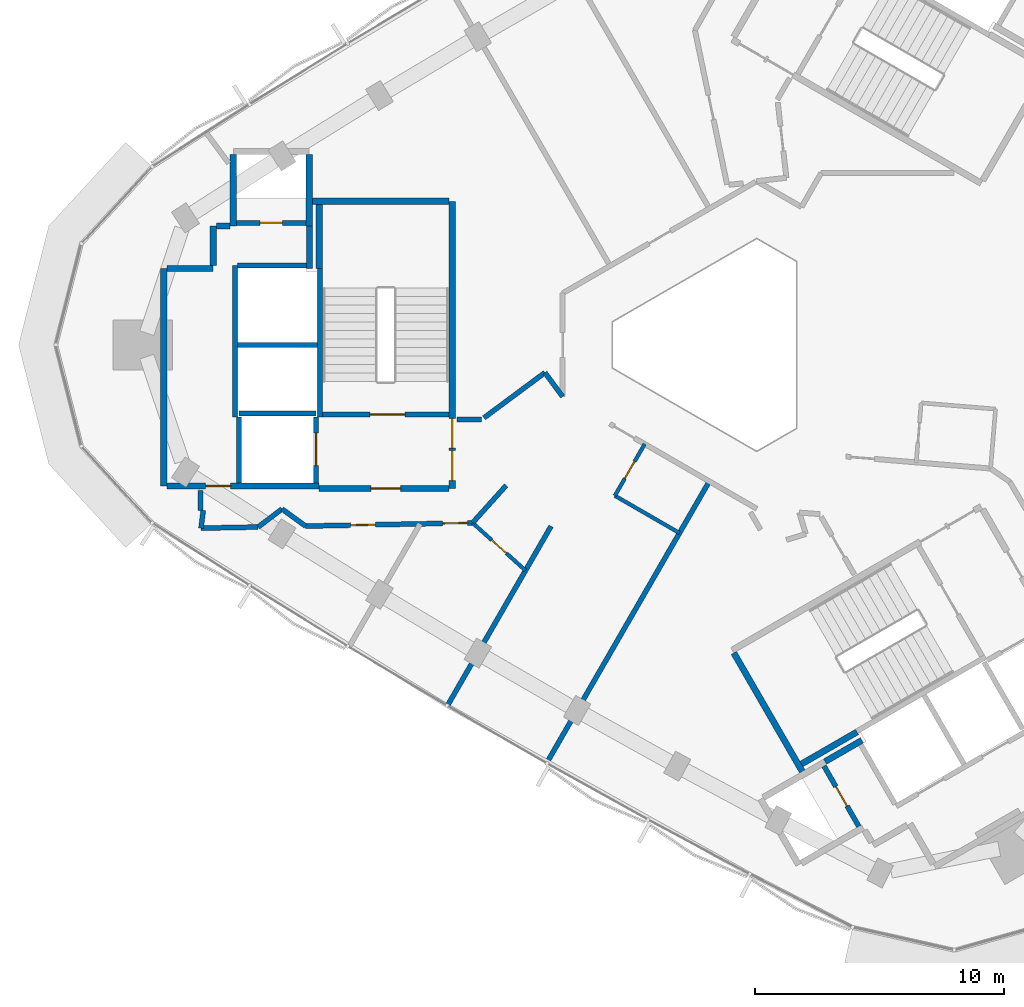
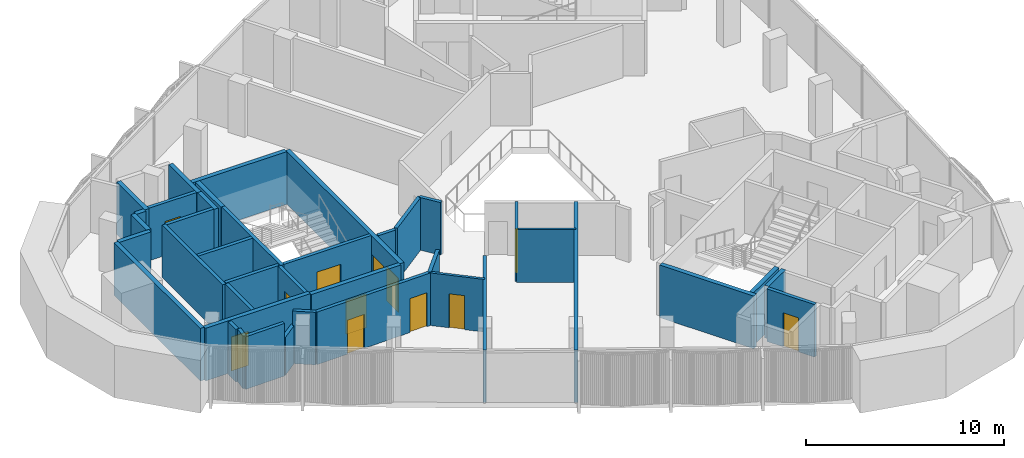
# One storey, part 6 of 12: 40 walls, 12 doors, 12 openings.
"""IFC4 building model written with IfcOpenShell, lengths in metres."""

from ifc_helpers import new_model, si_unit, direction, frame, frame_2d, origin, place, context, subcontext, project, spatial, rectangle, extrude, material, layer, layer_set, type_object, element, fill, save


model = new_model("IFC4")

# Units and contexts
model_context = context("Model", 3, precision=1e-05, world=origin(), true_north=direction((0.0, 1.0)))
body_context = subcontext(model_context, "Body", "Model", "MODEL_VIEW")
ifc_project = project(units=[si_unit("LENGTHUNIT", "METRE"), si_unit("AREAUNIT", "SQUARE_METRE"), si_unit("VOLUMEUNIT", "CUBIC_METRE"), si_unit("PLANEANGLEUNIT", "RADIAN"), si_unit("MASSUNIT", "GRAM", prefix="KILO")], contexts=[model_context])

# Site, building, storey
site_placement = place(None, origin())
site = spatial("IfcSite", under=ifc_project, at=site_placement, CompositionType="ELEMENT")
building_placement = place(site_placement, origin())
building = spatial("IfcBuilding", under=site, at=building_placement, Name="Tamra Quay Hotel Tower", CompositionType="ELEMENT")
storey_placement = place(building_placement, frame((0.0, 0.0, 280.199951171875)))
storey = spatial("IfcBuildingStorey", under=building, at=storey_placement, Name="L71", CompositionType="ELEMENT", Elevation=280.199951171875)

# Walls
ifc_material_1 = material(Name="Concrete M70", Category="concrete")
ifc_layer_1 = layer(ifc_material_1, 0.199951171875)
ifc_layer_set_1 = layer_set([ifc_layer_1], Name="Concrete M70 core wall 200")
wall_type_1 = type_object("IfcWallType", Name="Concrete M70 core wall 200", PredefinedType="SHEAR", material=ifc_layer_set_1)
wall_1_placement = place(storey_placement, frame((-16.162109375, 3.073974609375, 0.0), z_axis=(0.0, 0.0, 1.0), x_axis=(0.0, -1.0, 0.0)))
element("IfcWall", 1, at=wall_1_placement, inside=storey, type_object=wall_type_1, Name="CW2", PredefinedType="SHEAR", context=body_context, shape_type="SweptSolid", body=[
    extrude(rectangle(XDim=5.97412109375, YDim=0.199951171875, at=frame_2d((2.987060546875, 0.0))), origin(), (0.0, 0.0, 1.0), 3.25),
])
wall_2_placement = place(storey_placement, frame((-19.5625, -2.900146484375, 0.0), z_axis=(0.0, 0.0, 1.0), x_axis=(0.0, 1.0, 0.0)))
element("IfcWall", 2, at=wall_2_placement, inside=storey, type_object=wall_type_1, Name="CW2", PredefinedType="SHEAR", context=body_context, shape_type="SweptSolid", body=[
    extrude(rectangle(XDim=6.100341796875, YDim=0.199951171875, at=frame_2d((3.05029296875, 0.0))), origin(), (0.0, 0.0, 1.0), 3.25),
])

# Wall, opening, door
wall_3_placement = place(storey_placement, frame((-10.96337890625, -2.800048828125, 0.0), z_axis=(0.0, 0.0, 1.0), x_axis=(-1.0, 0.0, 0.0)))
wall_3 = element("IfcWall", 3, at=wall_3_placement, inside=storey, type_object=wall_type_1, Name="CW2", PredefinedType="SHEAR", context=body_context, shape_type="SweptSolid", body=[
    extrude(rectangle(XDim=5.097900390625, YDim=0.199951171875, at=frame_2d((2.548828125, 0.0))), origin(), (0.0, 0.0, 1.0), 3.25),
])
opening_1_placement = place(wall_3_placement, frame((1.77392578125, 0.0, 0.0)))
opening_1 = element("IfcOpeningElement", 4, at=opening_1_placement, cuts=wall_3, Name="Opening FD2", PredefinedType="OPENING", context=body_context, shape_type="SweptSolid", body=[
    extrude(rectangle(XDim=1.39990234375, YDim=2.10009765625, at=frame_2d((0.699951171875, 1.050048828125))), frame((0.0, 0.10986328125, 0.0), z_axis=(0.0, -1.0, 0.0), x_axis=(1.0, 0.0, 0.0)), (0.0, 0.0, 1.0), 0.219970703125),
])
ifc_material_2 = material(Name="Core door FD2 1400x2100 LH")
door_type_1 = type_object("IfcDoorType", Name="Core door FD2 1400x2100 LH", OperationType="NOTDEFINED", PredefinedType="DOOR", material=ifc_material_2)
door_1_placement = place(opening_1_placement, origin())
door_1 = element("IfcDoor", 5, at=door_1_placement, inside=storey, type_object=door_type_1, Name="FD2", OperationType="SINGLE_SWING_LEFT", OverallHeight=2.10009765625, OverallWidth=1.39990234375, PredefinedType="DOOR", context=body_context, shape_type="SweptSolid", body=[
    extrude(rectangle(XDim=1.39990234375, YDim=2.10009765625, at=frame_2d((0.699951171875, 1.050048828125))), frame((0.0, 0.02490234375, 0.0), z_axis=(0.0, -1.0, 0.0), x_axis=(1.0, 0.0, 0.0)), (0.0, 0.0, 1.0), 0.050048828125),
])
fill(opening_1, door_1)

# Wall
wall_4_placement = place(storey_placement, frame((-16.26318359375, 0.0, 0.0), z_axis=(0.0, 0.0, 1.0), x_axis=(-1.0, 0.0, 0.0)))
element("IfcWall", 6, at=wall_4_placement, inside=storey, type_object=wall_type_1, Name="CW2", PredefinedType="SHEAR", context=body_context, shape_type="SweptSolid", body=[
    extrude(rectangle(XDim=3.1982421875, YDim=0.199951171875, at=frame_2d((1.59912109375, 0.0))), origin(), (0.0, 0.0, 1.0), 3.25),
])

# Wall, opening, door
wall_5_placement = place(storey_placement, frame((-19.51123046875, 4.91015625, 0.0), z_axis=(0.0, 0.0, 1.0), x_axis=(1.0, 0.0, 0.0)))
wall_5 = element("IfcWall", 7, at=wall_5_placement, inside=storey, type_object=wall_type_1, Name="CW2", PredefinedType="SHEAR", context=body_context, shape_type="SweptSolid", body=[
    extrude(rectangle(XDim=2.7978515625, YDim=0.199951171875, at=frame_2d((1.39892578125, 0.0))), origin(), (0.0, 0.0, 1.0), 3.25),
])
opening_2_placement = place(wall_5_placement, frame((0.948974609375, 0.0, 0.0)))
opening_2 = element("IfcOpeningElement", 8, at=opening_2_placement, cuts=wall_5, Name="Opening D1", PredefinedType="OPENING", context=body_context, shape_type="SweptSolid", body=[
    extrude(rectangle(XDim=0.89990234375, YDim=2.10009765625, at=frame_2d((0.449951171875, 1.050048828125))), frame((0.0, 0.10986328125, 0.0), z_axis=(0.0, -1.0, 0.0), x_axis=(1.0, 0.0, 0.0)), (0.0, 0.0, 1.0), 0.219970703125),
])
ifc_material_3 = material(Name="Core door D1 900x2100 RH")
door_type_2 = type_object("IfcDoorType", Name="Core door D1 900x2100 RH", OperationType="NOTDEFINED", PredefinedType="DOOR", material=ifc_material_3)
door_2_placement = place(opening_2_placement, origin())
door_2 = element("IfcDoor", 9, at=door_2_placement, inside=storey, type_object=door_type_2, Name="D1", OperationType="SINGLE_SWING_RIGHT", OverallHeight=2.10009765625, OverallWidth=0.89990234375, PredefinedType="DOOR", context=body_context, shape_type="SweptSolid", body=[
    extrude(rectangle(XDim=0.89990234375, YDim=2.10009765625, at=frame_2d((0.449951171875, 1.050048828125))), frame((0.0, 0.02490234375, 0.0), z_axis=(0.0, -1.0, 0.0), x_axis=(1.0, 0.0, 0.0)), (0.0, 0.0, 1.0), 0.050048828125),
])
fill(opening_2, door_2)

# Walls
wall_6_placement = place(storey_placement, frame((-19.46240234375, 3.2001953125, 0.0), z_axis=(0.0, 0.0, 1.0), x_axis=(1.0, 0.0, 0.0)))
element("IfcWall", 10, at=wall_6_placement, inside=storey, type_object=wall_type_1, Name="CW2", PredefinedType="SHEAR", context=body_context, shape_type="SweptSolid", body=[
    extrude(rectangle(XDim=2.759033203125, YDim=0.199951171875, at=frame_2d((1.37939453125, 0.0))), origin(), (0.0, 0.0, 1.0), 3.25),
])
wall_7_placement = place(storey_placement, frame((-19.412353515625, -2.75, 0.0), z_axis=(0.0, 0.0, 1.0), x_axis=(1.0, 0.0, 0.0)))
element("IfcWall", 11, at=wall_7_placement, inside=storey, type_object=wall_type_1, Name="CW2", PredefinedType="SHEAR", context=body_context, shape_type="SweptSolid", body=[
    extrude(rectangle(XDim=3.10009765625, YDim=0.199951171875, at=frame_2d((1.550048828125, 0.0))), origin(), (0.0, 0.0, 1.0), 3.25),
])

# Wall, opening, door
wall_8_placement = place(storey_placement, frame((-16.312255859375, -2.898193359375, 0.0), z_axis=(0.0, 0.0, 1.0), x_axis=(0.0, -1.0, 0.0)))
wall_8 = element("IfcWall", 12, at=wall_8_placement, inside=storey, type_object=wall_type_1, Name="CW2", PredefinedType="SHEAR", context=body_context, shape_type="SweptSolid", body=[
    extrude(rectangle(XDim=2.65087890625, YDim=0.199951171875, at=frame_2d((1.325439453125, 0.0))), origin(), (0.0, 0.0, 1.0), 3.25),
])
opening_3_placement = place(wall_8_placement, frame((0.65185546875, 0.0, 0.0)))
opening_3 = element("IfcOpeningElement", 13, at=opening_3_placement, cuts=wall_8, Name="Opening LD", PredefinedType="OPENING", context=body_context, shape_type="SweptSolid", body=[
    extrude(rectangle(XDim=1.300048828125, YDim=2.10009765625, at=frame_2d((0.64990234375, 1.050048828125))), frame((0.0, 0.10986328125, 0.0), z_axis=(0.0, -1.0, 0.0), x_axis=(1.0, 0.0, 0.0)), (0.0, 0.0, 1.0), 0.219970703125),
])
ifc_material_4 = material(Name="Landing door LD 1300 sliding to left")
door_type_3 = type_object("IfcDoorType", Name="Landing door LD 1300 sliding to left", OperationType="NOTDEFINED", PredefinedType="DOOR", material=ifc_material_4)
door_3_placement = place(opening_3_placement, origin())
door_3 = element("IfcDoor", 14, at=door_3_placement, inside=storey, type_object=door_type_3, Name="LD", OperationType="SLIDING_TO_LEFT", OverallHeight=2.10009765625, OverallWidth=1.300048828125, PredefinedType="DOOR", context=body_context, shape_type="SweptSolid", body=[
    extrude(rectangle(XDim=1.300048828125, YDim=2.10009765625, at=frame_2d((0.64990234375, 1.050048828125))), frame((0.0, 0.02490234375, 0.0), z_axis=(0.0, -1.0, 0.0), x_axis=(1.0, 0.0, 0.0)), (0.0, 0.0, 1.0), 0.050048828125),
])
fill(opening_3, door_3)

# Wall
wall_9_placement = place(storey_placement, frame((-19.412353515625, -5.549072265625, 0.0), z_axis=(0.0, 0.0, 1.0), x_axis=(0.0, 1.0, 0.0)))
element("IfcWall", 15, at=wall_9_placement, inside=storey, type_object=wall_type_1, Name="CW2", PredefinedType="SHEAR", context=body_context, shape_type="SweptSolid", body=[
    extrude(rectangle(XDim=2.65087890625, YDim=0.199951171875, at=frame_2d((1.325439453125, 0.0))), origin(), (0.0, 0.0, 1.0), 3.25),
])

# Wall, opening, door
wall_10_placement = place(storey_placement, frame((5.50341796875, -19.352294921875, 0.0), z_axis=(0.0, 0.0, 1.0), x_axis=(-0.499986818241, 0.866033014143, 0.0)))
wall_10 = element("IfcWall", 16, at=wall_10_placement, inside=storey, type_object=wall_type_1, Name="CW2", PredefinedType="SHEAR", context=body_context, shape_type="SweptSolid", body=[
    extrude(rectangle(XDim=2.7978515625, YDim=0.199951171875, at=frame_2d((1.39892578125, 0.0))), origin(), (0.0, 0.0, 1.0), 3.25),
])
opening_4_placement = place(wall_10_placement, frame((0.948974609375, 0.0, 0.0)))
opening_4 = element("IfcOpeningElement", 17, at=opening_4_placement, cuts=wall_10, Name="Opening D1", PredefinedType="OPENING", context=body_context, shape_type="SweptSolid", body=[
    extrude(rectangle(XDim=0.89990234375, YDim=2.10009765625, at=frame_2d((0.449951171875, 1.050048828125))), frame((0.0, 0.10986328125, 0.0), z_axis=(0.0, -1.0, 0.0), x_axis=(1.0, 0.0, 0.0)), (0.0, 0.0, 1.0), 0.219970703125),
])
ifc_material_5 = material(Name="Core door D1 900x2100 LH")
door_type_4 = type_object("IfcDoorType", Name="Core door D1 900x2100 LH", OperationType="NOTDEFINED", PredefinedType="DOOR", material=ifc_material_5)
door_4_placement = place(opening_4_placement, origin())
door_4 = element("IfcDoor", 18, at=door_4_placement, inside=storey, type_object=door_type_4, Name="D1", OperationType="SINGLE_SWING_LEFT", OverallHeight=2.10009765625, OverallWidth=0.89990234375, PredefinedType="DOOR", context=body_context, shape_type="SweptSolid", body=[
    extrude(rectangle(XDim=0.89990234375, YDim=2.10009765625, at=frame_2d((0.449951171875, 1.050048828125))), frame((0.0, 0.02490234375, 0.0), z_axis=(0.0, -1.0, 0.0), x_axis=(1.0, 0.0, 0.0)), (0.0, 0.0, 1.0), 0.050048828125),
])
fill(opening_4, door_4)

# Wall, openings, doors
ifc_layer_2 = layer(ifc_material_1, 0.25)
ifc_layer_set_2 = layer_set([ifc_layer_2], Name="Concrete M70 core wall 250")
wall_type_2 = type_object("IfcWallType", Name="Concrete M70 core wall 250", PredefinedType="SHEAR", material=ifc_layer_set_2)
wall_11_placement = place(storey_placement, frame((-10.83740234375, 5.77490234375, 0.0), z_axis=(0.0, 0.0, 1.0), x_axis=(0.0, -1.0, 0.0)))
wall_11 = element("IfcWall", 19, at=wall_11_placement, inside=storey, type_object=wall_type_2, Name="CW1", PredefinedType="SHEAR", context=body_context, shape_type="SweptSolid", body=[
    extrude(rectangle(XDim=11.5498046875, YDim=0.25, at=frame_2d((5.77490234375, 0.0))), origin(), (0.0, 0.0, 1.0), 3.25),
])
opening_5_placement = place(wall_11_placement, frame((10.02490234375, 0.0, 0.0)))
opening_5 = element("IfcOpeningElement", 20, at=opening_5_placement, cuts=wall_11, Name="Opening FD1", PredefinedType="OPENING", context=body_context, shape_type="SweptSolid", body=[
    extrude(rectangle(XDim=1.199951171875, YDim=2.10009765625, at=frame_2d((0.60009765625, 1.050048828125))), frame((0.0, 0.135009765625, 0.0), z_axis=(0.0, -1.0, 0.0), x_axis=(1.0, 0.0, 0.0)), (0.0, 0.0, 1.0), 0.27001953125),
])
opening_6_placement = place(wall_11_placement, frame((8.72509765625, 0.0, 0.0)))
opening_6 = element("IfcOpeningElement", 21, at=opening_6_placement, cuts=wall_11, Name="Opening FD1", PredefinedType="OPENING", context=body_context, shape_type="SweptSolid", body=[
    extrude(rectangle(XDim=1.199951171875, YDim=2.10009765625, at=frame_2d((0.60009765625, 1.050048828125))), frame((0.0, 0.135009765625, 0.0), z_axis=(0.0, -1.0, 0.0), x_axis=(1.0, 0.0, 0.0)), (0.0, 0.0, 1.0), 0.27001953125),
])
ifc_material_6 = material(Name="Core door FD1 1200x2100 LH")
door_type_5 = type_object("IfcDoorType", Name="Core door FD1 1200x2100 LH", OperationType="NOTDEFINED", PredefinedType="DOOR", material=ifc_material_6)
door_5_placement = place(opening_5_placement, origin())
door_5 = element("IfcDoor", 22, at=door_5_placement, inside=storey, type_object=door_type_5, Name="FD1", OperationType="SINGLE_SWING_LEFT", OverallHeight=2.10009765625, OverallWidth=1.199951171875, PredefinedType="DOOR", context=body_context, shape_type="SweptSolid", body=[
    extrude(rectangle(XDim=1.199951171875, YDim=2.10009765625, at=frame_2d((0.60009765625, 1.050048828125))), frame((0.0, 0.02490234375, 0.0), z_axis=(0.0, -1.0, 0.0), x_axis=(1.0, 0.0, 0.0)), (0.0, 0.0, 1.0), 0.050048828125),
])
fill(opening_5, door_5)
ifc_material_7 = material(Name="Core door FD1 1200x2100 RH")
door_type_6 = type_object("IfcDoorType", Name="Core door FD1 1200x2100 RH", OperationType="NOTDEFINED", PredefinedType="DOOR", material=ifc_material_7)
door_6_placement = place(opening_6_placement, origin())
door_6 = element("IfcDoor", 23, at=door_6_placement, inside=storey, type_object=door_type_6, Name="FD1", OperationType="SINGLE_SWING_RIGHT", OverallHeight=2.10009765625, OverallWidth=1.199951171875, PredefinedType="DOOR", context=body_context, shape_type="SweptSolid", body=[
    extrude(rectangle(XDim=1.199951171875, YDim=2.10009765625, at=frame_2d((0.60009765625, 1.050048828125))), frame((0.0, 0.02490234375, 0.0), z_axis=(0.0, -1.0, 0.0), x_axis=(1.0, 0.0, 0.0)), (0.0, 0.0, 1.0), 0.050048828125),
])
fill(opening_6, door_6)

# Wall
wall_12_placement = place(storey_placement, frame((-22.437255859375, -5.675048828125, 0.0), z_axis=(0.0, 0.0, 1.0), x_axis=(0.0, 1.0, 0.0)))
element("IfcWall", 24, at=wall_12_placement, inside=storey, type_object=wall_type_2, Name="CW1", PredefinedType="SHEAR", context=body_context, shape_type="SweptSolid", body=[
    extrude(rectangle(XDim=8.75, YDim=0.25, at=frame_2d((4.375, 0.0))), origin(), (0.0, 0.0, 1.0), 3.25),
])

# Wall, opening, door
wall_13_placement = place(storey_placement, frame((-16.187255859375, -5.675048828125, 0.0), z_axis=(0.0, 0.0, 1.0), x_axis=(-1.0, 0.0, 0.0)))
wall_13 = element("IfcWall", 25, at=wall_13_placement, inside=storey, type_object=wall_type_2, Name="CW1", PredefinedType="SHEAR", context=body_context, shape_type="SweptSolid", body=[
    extrude(rectangle(XDim=6.12451171875, YDim=0.25, at=frame_2d((3.062255859375, 0.0))), origin(), (0.0, 0.0, 1.0), 3.25),
])
opening_7_placement = place(wall_13_placement, frame((3.562744140625, 0.0, 0.0)))
opening_7 = element("IfcOpeningElement", 26, at=opening_7_placement, cuts=wall_13, Name="Opening FD3", PredefinedType="OPENING", context=body_context, shape_type="SweptSolid", body=[
    extrude(rectangle(XDim=1.0, YDim=2.10009765625, at=frame_2d((0.5, 1.050048828125))), frame((0.0, 0.135009765625, 0.0), z_axis=(0.0, -1.0, 0.0), x_axis=(1.0, 0.0, 0.0)), (0.0, 0.0, 1.0), 0.27001953125),
])
ifc_material_8 = material(Name="Core door FD3 1000x2100 LH")
door_type_7 = type_object("IfcDoorType", Name="Core door FD3 1000x2100 LH", OperationType="NOTDEFINED", PredefinedType="DOOR", material=ifc_material_8)
door_7_placement = place(opening_7_placement, origin())
door_7 = element("IfcDoor", 27, at=door_7_placement, inside=storey, type_object=door_type_7, Name="FD3", OperationType="SINGLE_SWING_LEFT", OverallHeight=2.10009765625, OverallWidth=1.0, PredefinedType="DOOR", context=body_context, shape_type="SweptSolid", body=[
    extrude(rectangle(XDim=1.0, YDim=2.10009765625, at=frame_2d((0.5, 1.050048828125))), frame((0.0, 0.02490234375, 0.0), z_axis=(0.0, -1.0, 0.0), x_axis=(1.0, 0.0, 0.0)), (0.0, 0.0, 1.0), 0.050048828125),
])
fill(opening_7, door_7)

wall_14_placement = place(storey_placement, frame((-10.962646484375, -5.77490234375, 0.0), z_axis=(0.0, 0.0, 1.0), x_axis=(-1.0, 0.0, 0.0)))
wall_14 = element("IfcWall", 28, at=wall_14_placement, inside=storey, type_object=wall_type_2, Name="CW1", PredefinedType="SHEAR", context=body_context, shape_type="SweptSolid", body=[
    extrude(rectangle(XDim=5.224609375, YDim=0.25, at=frame_2d((2.6123046875, 0.0))), origin(), (0.0, 0.0, 1.0), 3.25),
])
opening_8_placement = place(wall_14_placement, frame((1.94970703125, 0.0, 0.0)))
opening_8 = element("IfcOpeningElement", 29, at=opening_8_placement, cuts=wall_14, Name="Opening D2", PredefinedType="OPENING", context=body_context, shape_type="SweptSolid", body=[
    extrude(rectangle(XDim=1.199951171875, YDim=2.10009765625, at=frame_2d((0.60009765625, 1.050048828125))), frame((0.0, 0.135009765625, 0.0), z_axis=(0.0, -1.0, 0.0), x_axis=(1.0, 0.0, 0.0)), (0.0, 0.0, 1.0), 0.27001953125),
])
ifc_material_9 = material(Name="Core door D2 1200x2100 RH")
door_type_8 = type_object("IfcDoorType", Name="Core door D2 1200x2100 RH", OperationType="NOTDEFINED", PredefinedType="DOOR", material=ifc_material_9)
door_8_placement = place(opening_8_placement, origin())
door_8 = element("IfcDoor", 30, at=door_8_placement, inside=storey, type_object=door_type_8, Name="D2", OperationType="SINGLE_SWING_RIGHT", OverallHeight=2.10009765625, OverallWidth=1.199951171875, PredefinedType="DOOR", context=body_context, shape_type="SweptSolid", body=[
    extrude(rectangle(XDim=1.199951171875, YDim=2.10009765625, at=frame_2d((0.60009765625, 1.050048828125))), frame((0.0, 0.02490234375, 0.0), z_axis=(0.0, -1.0, 0.0), x_axis=(1.0, 0.0, 0.0)), (0.0, 0.0, 1.0), 0.050048828125),
])
fill(opening_8, door_8)

# Walls
wall_15_placement = place(storey_placement, frame((-16.47216796875, 5.77490234375, 0.0), z_axis=(0.0, 0.0, 1.0), x_axis=(1.0, 0.0, 0.0)))
element("IfcWall", 31, at=wall_15_placement, inside=storey, type_object=wall_type_2, Name="CW1", PredefinedType="SHEAR", context=body_context, shape_type="SweptSolid", body=[
    extrude(rectangle(XDim=5.509521484375, YDim=0.25, at=frame_2d((2.7548828125, 0.0))), origin(), (0.0, 0.0, 1.0), 3.25),
])
for number, where, z_axis, x_axis, name in (
    (32, (-16.58740234375, 7.649658203125, 0.0), (0.0, 0.0, 1.0), (0.0, -1.0, 0.0), "CW1"),
    (33, (-19.63720703125, 4.784912109375, 0.0), (0.0, 0.0, 1.0), (0.0, 1.0, 0.0), "CW1"),
):
    element("IfcWall", number, at=place(storey_placement, frame(where, z_axis=z_axis, x_axis=x_axis)), inside=storey, type_object=wall_type_2, Name=name, PredefinedType="SHEAR", context=body_context, shape_type="SweptSolid", body=[
        extrude(rectangle(XDim=2.86474609375, YDim=0.25, at=frame_2d((1.432373046875, 0.0))), origin(), (0.0, 0.0, 1.0), 3.25),
    ])
wall_16_placement = place(storey_placement, frame((-16.187255859375, 3.074951171875, 0.0), z_axis=(0.0, 0.0, 1.0), x_axis=(0.0, 1.0, 0.0)))
element("IfcWall", 34, at=wall_16_placement, inside=storey, type_object=wall_type_2, Name="CW1", PredefinedType="SHEAR", context=body_context, shape_type="SweptSolid", body=[
    extrude(rectangle(XDim=2.57470703125, YDim=0.25, at=frame_2d((1.287353515625, 0.0))), origin(), (0.0, 0.0, 1.0), 3.25),
])
wall_17_placement = place(storey_placement, frame((-22.311767578125, 3.074951171875, 0.0), z_axis=(0.0, 0.0, 1.0), x_axis=(1.0, 0.0, 0.0)))
element("IfcWall", 35, at=wall_17_placement, inside=storey, type_object=wall_type_2, Name="CW1", PredefinedType="SHEAR", context=body_context, shape_type="SweptSolid", body=[
    extrude(rectangle(XDim=1.864501953125, YDim=0.25, at=frame_2d((0.93212890625, 0.0))), origin(), (0.0, 0.0, 1.0), 3.25),
])
wall_18_placement = place(storey_placement, frame((-16.577392578125, 4.784912109375, 0.0), z_axis=(0.0, 0.0, 1.0), x_axis=(0.0, -1.0, 0.0)))
element("IfcWall", 36, at=wall_18_placement, inside=storey, type_object=wall_type_2, Name="CW1", PredefinedType="SHEAR", context=body_context, shape_type="SweptSolid", body=[
    extrude(rectangle(XDim=1.7099609375, YDim=0.25, at=frame_2d((0.85498046875, 0.0))), origin(), (0.0, 0.0, 1.0), 3.25),
])
wall_19_placement = place(storey_placement, frame((-20.447265625, 3.200439453125, 0.0), z_axis=(0.0, 0.0, 1.0), x_axis=(0.0, 1.0, 0.0)))
element("IfcWall", 37, at=wall_19_placement, inside=storey, type_object=wall_type_2, Name="CW1", PredefinedType="SHEAR", context=body_context, shape_type="SweptSolid", body=[
    extrude(rectangle(XDim=1.58447265625, YDim=0.25, at=frame_2d((0.792236328125, 0.0))), origin(), (0.0, 0.0, 1.0), 3.25),
])
wall_20_placement = place(storey_placement, frame((-20.32177734375, 4.784912109375, 0.0), z_axis=(0.0, 0.0, 1.0), x_axis=(1.0, 0.0, 0.0)))
element("IfcWall", 38, at=wall_20_placement, inside=storey, type_object=wall_type_2, Name="CW1", PredefinedType="SHEAR", context=body_context, shape_type="SweptSolid", body=[
    extrude(rectangle(XDim=0.55908203125, YDim=0.25, at=frame_2d((0.279541015625, 0.0))), origin(), (0.0, 0.0, 1.0), 3.25),
])
wall_21_placement = place(storey_placement, frame((3.23486328125, -17.15283203125, 0.0), z_axis=(0.0, 0.0, 1.0), x_axis=(-0.500008851346, 0.866020293397, 0.0)))
element("IfcWall", 39, at=wall_21_placement, inside=storey, type_object=wall_type_2, Name="CW1", PredefinedType="SHEAR", context=body_context, shape_type="SweptSolid", body=[
    extrude(rectangle(XDim=5.509765625, YDim=0.25, at=frame_2d((2.7548828125, 0.0))), origin(), (0.0, 0.0, 1.0), 3.25),
])
wall_22_placement = place(storey_placement, frame((5.4306640625, -15.55615234375, 0.0), z_axis=(0.0, 0.0, 1.0), x_axis=(-0.866022940537, -0.500004266446, 0.0)))
element("IfcWall", 40, at=wall_22_placement, inside=storey, type_object=wall_type_2, Name="CW1", PredefinedType="SHEAR", context=body_context, shape_type="SweptSolid", body=[
    extrude(rectangle(XDim=2.57470703125, YDim=0.25, at=frame_2d((1.287353515625, 0.0))), origin(), (0.0, 0.0, 1.0), 3.25),
])
wall_23_placement = place(storey_placement, frame((4.144775390625, -16.748779296875, 0.0), z_axis=(0.0, 0.0, 1.0), x_axis=(0.866038183914, 0.499977863513, 0.0)))
element("IfcWall", 41, at=wall_23_placement, inside=storey, type_object=wall_type_2, Name="CW1", PredefinedType="SHEAR", context=body_context, shape_type="SweptSolid", body=[
    extrude(rectangle(XDim=1.7099609375, YDim=0.25, at=frame_2d((0.85498046875, 0.0))), origin(), (0.0, 0.0, 1.0), 3.25),
])
ifc_material_10 = material(Name="Partition corridor wall")
ifc_layer_3 = layer(ifc_material_10, 0.199951171875)
ifc_layer_set_3 = layer_set([ifc_layer_3], Name="Partition corridor wall")
wall_type_3 = type_object("IfcWallType", Name="Partition corridor wall", PredefinedType="PARTITIONING", material=ifc_layer_set_3)
wall_24_placement = place(storey_placement, frame((-20.949951171875, -6.64990234375, 0.0), z_axis=(0.0, 0.0, 1.0), x_axis=(0.0, 1.0, 0.0)))
element("IfcWall", 42, at=wall_24_placement, inside=storey, type_object=wall_type_3, Name="W-C", PredefinedType="PARTITIONING", context=body_context, shape_type="SweptSolid", body=[
    extrude(rectangle(XDim=0.789794921875, YDim=0.199951171875, at=frame_2d((0.39501953125, 0.0))), origin(), (0.0, 0.0, 1.0), 3.25),
])
wall_25_placement = place(storey_placement, frame((-20.93603515625, -7.363037109375, 0.0), z_axis=(0.0, 0.0, 1.0), x_axis=(0.125330520795, 0.992115044013, 0.0)))
element("IfcWall", 43, at=wall_25_placement, inside=storey, type_object=wall_type_3, Name="W-C", PredefinedType="PARTITIONING", context=body_context, shape_type="SweptSolid", body=[
    extrude(rectangle(XDim=0.71875, YDim=0.199951171875, at=frame_2d((0.359375, 0.0))), origin(), (0.0, 0.0, 1.0), 3.25),
])
wall_26_placement = place(storey_placement, frame((-20.93603515625, -7.364013671875, 0.0), z_axis=(0.0, 0.0, 1.0), x_axis=(0.999810389391, 0.019472679998, 0.0)))
element("IfcWall", 44, at=wall_26_placement, inside=storey, type_object=wall_type_3, Name="W-C", PredefinedType="PARTITIONING", context=body_context, shape_type="SweptSolid", body=[
    extrude(rectangle(XDim=2.29443359375, YDim=0.199951171875, at=frame_2d((1.147216796875, 0.0))), origin(), (0.0, 0.0, 1.0), 3.25),
])
wall_27_placement = place(storey_placement, frame((-18.64208984375, -7.319091796875, 0.0), z_axis=(0.0, 0.0, 1.0), x_axis=(0.798707882989, 0.601718968998, 0.0)))
element("IfcWall", 45, at=wall_27_placement, inside=storey, type_object=wall_type_3, Name="W-C", PredefinedType="PARTITIONING", context=body_context, shape_type="SweptSolid", body=[
    extrude(rectangle(XDim=1.203369140625, YDim=0.199951171875, at=frame_2d((0.6015625, 0.0))), origin(), (0.0, 0.0, 1.0), 2.35009765625),
])
wall_28_placement = place(storey_placement, frame((-17.680908203125, -6.594970703125, 0.0), z_axis=(0.0, 0.0, 1.0), x_axis=(0.810123213102, -0.586259652026, 0.0)))
element("IfcWall", 46, at=wall_28_placement, inside=storey, type_object=wall_type_3, Name="W-C", PredefinedType="PARTITIONING", context=body_context, shape_type="SweptSolid", body=[
    extrude(rectangle(XDim=1.170166015625, YDim=0.199951171875, at=frame_2d((0.5849609375, 0.0))), origin(), (0.0, 0.0, 1.0), 3.25),
])

# Wall, openings, doors
wall_29_placement = place(storey_placement, frame((-16.73193359375, -7.281982421875, 0.0), z_axis=(0.0, 0.0, 1.0), x_axis=(0.999809829903, 0.019501385329, 0.0)))
wall_29 = element("IfcWall", 47, at=wall_29_placement, inside=storey, type_object=wall_type_3, Name="W-C", PredefinedType="PARTITIONING", context=body_context, shape_type="SweptSolid", body=[
    extrude(rectangle(XDim=6.710205078125, YDim=0.199951171875, at=frame_2d((3.35498046875, 0.0))), origin(), (0.0, 0.0, 1.0), 3.25),
])
opening_9_placement = place(wall_29_placement, frame((1.806884765625, 0.0, 0.0)))
opening_9 = element("IfcOpeningElement", 48, at=opening_9_placement, cuts=wall_29, Name="Opening L71-D009", PredefinedType="OPENING", context=body_context, shape_type="SweptSolid", body=[
    extrude(rectangle(XDim=1.0, YDim=2.10009765625, at=frame_2d((0.5, 1.050048828125))), frame((0.0, 0.10986328125, 0.0), z_axis=(0.0, -1.0, 0.0), x_axis=(1.0, 0.0, 0.0)), (0.0, 0.0, 1.0), 0.219970703125),
])
opening_10_placement = place(wall_29_placement, frame((5.51025390625, 0.0, 0.0)))
opening_10 = element("IfcOpeningElement", 49, at=opening_10_placement, cuts=wall_29, Name="Opening L71-D010", PredefinedType="OPENING", context=body_context, shape_type="SweptSolid", body=[
    extrude(rectangle(XDim=1.0, YDim=2.10009765625, at=frame_2d((0.5, 1.050048828125))), frame((0.0, 0.10986328125, 0.0), z_axis=(0.0, -1.0, 0.0), x_axis=(1.0, 0.0, 0.0)), (0.0, 0.0, 1.0), 0.219970703125),
])
ifc_material_11 = material(Name="Door guest room 1000x2100")
door_type_9 = type_object("IfcDoorType", Name="Door guest room 1000x2100", OperationType="NOTDEFINED", PredefinedType="DOOR", material=ifc_material_11)
door_9_placement = place(opening_9_placement, origin())
door_9 = element("IfcDoor", 50, at=door_9_placement, inside=storey, type_object=door_type_9, Name="L71-D009", OperationType="SINGLE_SWING_LEFT", OverallHeight=2.10009765625, OverallWidth=1.0, PredefinedType="DOOR", context=body_context, shape_type="SweptSolid", body=[
    extrude(rectangle(XDim=1.0, YDim=2.10009765625, at=frame_2d((0.5, 1.050048828125))), frame((0.0, 0.02490234375, 0.0), z_axis=(0.0, -1.0, 0.0), x_axis=(1.0, 0.0, 0.0)), (0.0, 0.0, 1.0), 0.050048828125),
])
fill(opening_9, door_9)
door_10_placement = place(opening_10_placement, frame((1.0, 0.0, 0.0), z_axis=(0.0, 0.0, 1.0), x_axis=(-1.0, 0.0, 0.0)))
door_10 = element("IfcDoor", 51, at=door_10_placement, inside=storey, type_object=door_type_9, Name="L71-D010", OperationType="SINGLE_SWING_LEFT", OverallHeight=2.10009765625, OverallWidth=1.0, PredefinedType="DOOR", context=body_context, shape_type="SweptSolid", body=[
    extrude(rectangle(XDim=1.0, YDim=2.10009765625, at=frame_2d((0.5, 1.050048828125))), frame((0.0, 0.02490234375, 0.0), z_axis=(0.0, -1.0, 0.0), x_axis=(1.0, 0.0, 0.0)), (0.0, 0.0, 1.0), 0.050048828125),
])
fill(opening_10, door_10)

# Walls
wall_30_placement = place(storey_placement, frame((-10.65234375, -3.0, 0.0), z_axis=(0.0, 0.0, 1.0), x_axis=(1.0, 0.0, 0.0)))
element("IfcWall", 52, at=wall_30_placement, inside=storey, type_object=wall_type_3, Name="W-C", PredefinedType="PARTITIONING", context=body_context, shape_type="SweptSolid", body=[
    extrude(rectangle(XDim=0.994384765625, YDim=0.199951171875, at=frame_2d((0.4970703125, 0.0))), origin(), (0.0, 0.0, 1.0), 3.25),
])
wall_31_placement = place(storey_placement, frame((-10.02294921875, -7.15087890625, 0.0), z_axis=(0.0, 0.0, 1.0), x_axis=(0.668804583793, 0.743438248073, 0.0)))
element("IfcWall", 53, at=wall_31_placement, inside=storey, type_object=wall_type_3, Name="W-C", PredefinedType="PARTITIONING", context=body_context, shape_type="SweptSolid", body=[
    extrude(rectangle(XDim=2.021484375, YDim=0.199951171875, at=frame_2d((1.0107421875, 0.0))), origin(), (0.0, 0.0, 1.0), 3.25),
])
wall_32_placement = place(storey_placement, frame((-7.114990234375, -1.114990234375, 0.0), z_axis=(0.0, 0.0, 1.0), x_axis=(-0.803344165632, -0.595515030495, 0.0)))
element("IfcWall", 54, at=wall_32_placement, inside=storey, type_object=wall_type_3, Name="W-C", PredefinedType="PARTITIONING", context=body_context, shape_type="SweptSolid", body=[
    extrude(rectangle(XDim=3.046142578125, YDim=0.199951171875, at=frame_2d((1.52294921875, 0.0))), origin(), (0.0, 0.0, 1.0), 3.25),
])
wall_33_placement = place(storey_placement, frame((-7.114013671875, -1.114990234375, 0.0), z_axis=(0.0, 0.0, 1.0), x_axis=(0.595690139668, -0.803214328496, 0.0)))
element("IfcWall", 55, at=wall_33_placement, inside=storey, type_object=wall_type_3, Name="W-C", PredefinedType="PARTITIONING", context=body_context, shape_type="SweptSolid", body=[
    extrude(rectangle(XDim=1.19873046875, YDim=0.199951171875, at=frame_2d((0.599365234375, 0.0))), origin(), (0.0, 0.0, 1.0), 3.25),
])

# Wall, opening, door
ifc_material_12 = material(Name="Partition en-suite wall")
ifc_layer_4 = layer(ifc_material_12, 0.14990234375)
ifc_layer_set_4 = layer_set([ifc_layer_4], Name="Partition en-suite wall")
wall_type_4 = type_object("IfcWallType", Name="Partition en-suite wall", PredefinedType="PARTITIONING", material=ifc_layer_set_4)
wall_34_placement = place(storey_placement, frame((-10.02294921875, -7.15087890625, 0.0), z_axis=(0.0, 0.0, 1.0), x_axis=(0.743463699468, -0.668776291127, 0.0)))
wall_34 = element("IfcWall", 56, at=wall_34_placement, inside=storey, type_object=wall_type_4, Name="W-E", PredefinedType="PARTITIONING", context=body_context, shape_type="SweptSolid", body=[
    extrude(rectangle(XDim=2.863525390625, YDim=0.14990234375, at=frame_2d((1.431640625, 0.0))), origin(), (0.0, 0.0, 1.0), 3.25),
])
opening_11_placement = place(wall_34_placement, frame((1.031494140625, 0.0, 0.0)))
opening_11 = element("IfcOpeningElement", 57, at=opening_11_placement, cuts=wall_34, Name="Opening L71-D011", PredefinedType="OPENING", context=body_context, shape_type="SweptSolid", body=[
    extrude(rectangle(XDim=0.800048828125, YDim=2.10009765625, at=frame_2d((0.39990234375, 1.050048828125))), frame((0.0, 0.0849609375, 0.0), z_axis=(0.0, -1.0, 0.0), x_axis=(1.0, 0.0, 0.0)), (0.0, 0.0, 1.0), 0.169921875),
])
ifc_material_13 = material(Name="Door en-suite 800x2100")
door_type_10 = type_object("IfcDoorType", Name="Door en-suite 800x2100", OperationType="NOTDEFINED", PredefinedType="DOOR", material=ifc_material_13)
door_11_placement = place(opening_11_placement, frame((0.800048828125, 0.0, 0.0), z_axis=(0.0, 0.0, 1.0), x_axis=(-1.0, 0.0, 0.0)))
door_11 = element("IfcDoor", 58, at=door_11_placement, inside=storey, type_object=door_type_10, Name="L71-D011", OperationType="SINGLE_SWING_LEFT", OverallHeight=2.10009765625, OverallWidth=0.800048828125, PredefinedType="DOOR", context=body_context, shape_type="SweptSolid", body=[
    extrude(rectangle(XDim=0.800048828125, YDim=2.10009765625, at=frame_2d((0.39990234375, 1.050048828125))), frame((0.0, 0.02490234375, 0.0), z_axis=(0.0, -1.0, 0.0), x_axis=(1.0, 0.0, 0.0)), (0.0, 0.0, 1.0), 0.050048828125),
])
fill(opening_11, door_11)

wall_35_placement = place(storey_placement, frame((-4.302978515625, -6.06005859375, 0.0), z_axis=(0.0, 0.0, 1.0), x_axis=(0.500045362686, 0.865999212041, 0.0)))
wall_35 = element("IfcWall", 59, at=wall_35_placement, inside=storey, type_object=wall_type_4, Name="W-E", PredefinedType="PARTITIONING", context=body_context, shape_type="SweptSolid", body=[
    extrude(rectangle(XDim=2.399658203125, YDim=0.14990234375, at=frame_2d((1.19970703125, 0.0))), origin(), (0.0, 0.0, 1.0), 3.25),
])
opening_12_placement = place(wall_35_placement, frame((0.7998046875, 0.0, 0.0)))
opening_12 = element("IfcOpeningElement", 60, at=opening_12_placement, cuts=wall_35, Name="Opening L71-D013", PredefinedType="OPENING", context=body_context, shape_type="SweptSolid", body=[
    extrude(rectangle(XDim=0.800048828125, YDim=2.10009765625, at=frame_2d((0.39990234375, 1.050048828125))), frame((0.0, 0.0849609375, 0.0), z_axis=(0.0, -1.0, 0.0), x_axis=(1.0, 0.0, 0.0)), (0.0, 0.0, 1.0), 0.169921875),
])
door_12_placement = place(opening_12_placement, frame((0.800048828125, 0.0, 0.0), z_axis=(0.0, 0.0, 1.0), x_axis=(-1.0, 0.0, 0.0)))
door_12 = element("IfcDoor", 61, at=door_12_placement, inside=storey, type_object=door_type_10, Name="L71-D013", OperationType="SINGLE_SWING_LEFT", OverallHeight=2.10009765625, OverallWidth=0.800048828125, PredefinedType="DOOR", context=body_context, shape_type="SweptSolid", body=[
    extrude(rectangle(XDim=0.800048828125, YDim=2.10009765625, at=frame_2d((0.39990234375, 1.050048828125))), frame((0.0, 0.02490234375, 0.0), z_axis=(0.0, -1.0, 0.0), x_axis=(1.0, 0.0, 0.0)), (0.0, 0.0, 1.0), 0.050048828125),
])
fill(opening_12, door_12)

# Walls
wall_36_placement = place(storey_placement, frame((-4.302978515625, -6.06005859375, 0.0), z_axis=(0.0, 0.0, 1.0), x_axis=(0.866010750942, -0.50002537861, 0.0)))
element("IfcWall", 62, at=wall_36_placement, inside=storey, type_object=wall_type_4, Name="W-E", PredefinedType="PARTITIONING", context=body_context, shape_type="SweptSolid", body=[
    extrude(rectangle(XDim=2.999755859375, YDim=0.14990234375, at=frame_2d((1.5, 0.0))), origin(), (0.0, 0.0, 1.0), 3.25),
])
ifc_material_14 = material(Name="Partition party wall")
ifc_layer_5 = layer(ifc_material_14, 0.199951171875)
ifc_layer_set_5 = layer_set([ifc_layer_5], Name="Partition party wall")
wall_type_5 = type_object("IfcWallType", Name="Partition party wall", PredefinedType="PARTITIONING", material=ifc_layer_set_5)
wall_37_placement = place(storey_placement, frame((-11.03466796875, -14.505126953125, 0.0), z_axis=(0.0, 0.0, 1.0), x_axis=(0.50003941366, 0.866002647102, 0.0)))
element("IfcWall", 63, at=wall_37_placement, inside=storey, type_object=wall_type_5, Name="W-P", PredefinedType="PARTITIONING", context=body_context, shape_type="SweptSolid", body=[
    extrude(rectangle(XDim=8.334228515625, YDim=0.199951171875, at=frame_2d((4.1669921875, 0.0))), origin(), (0.0, 0.0, 1.0), 3.25),
])
wall_38_placement = place(storey_placement, frame((-7.04443359375, -16.808837890625, 0.0), z_axis=(0.0, 0.0, 1.0), x_axis=(0.499969679245, 0.866042908773, 0.0)))
element("IfcWall", 64, at=wall_38_placement, inside=storey, type_object=wall_type_5, Name="W-P", PredefinedType="PARTITIONING", context=body_context, shape_type="SweptSolid", body=[
    extrude(rectangle(XDim=13.078857421875, YDim=0.199951171875, at=frame_2d((6.53955078125, 0.0))), origin(), (0.0, 0.0, 1.0), 3.25),
])

save(model, "model.ifc")
